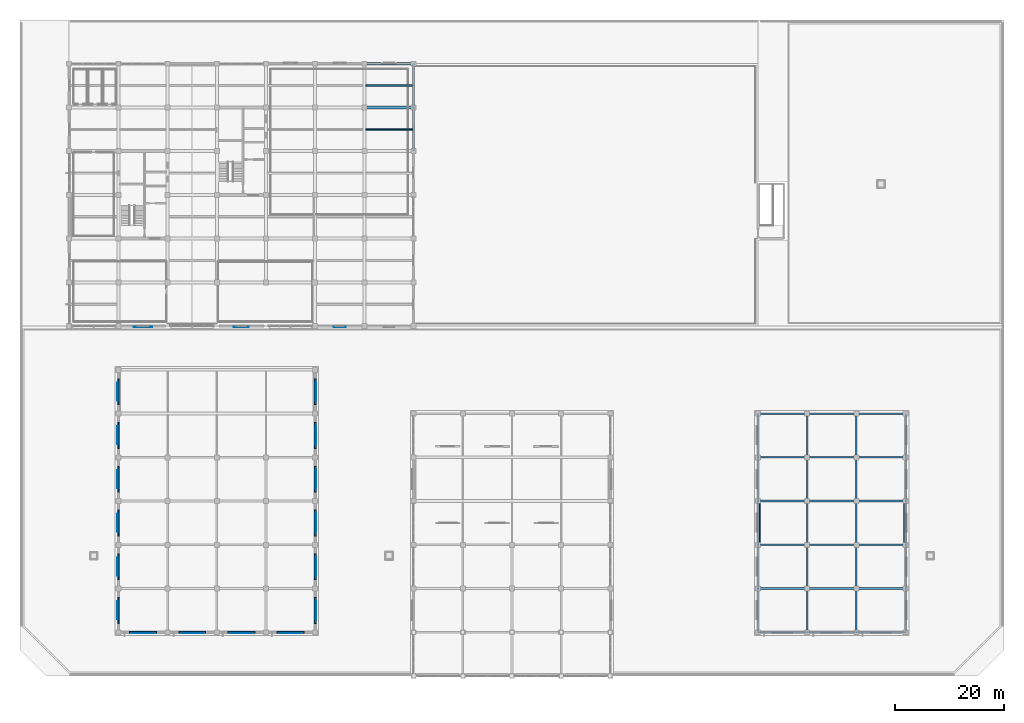
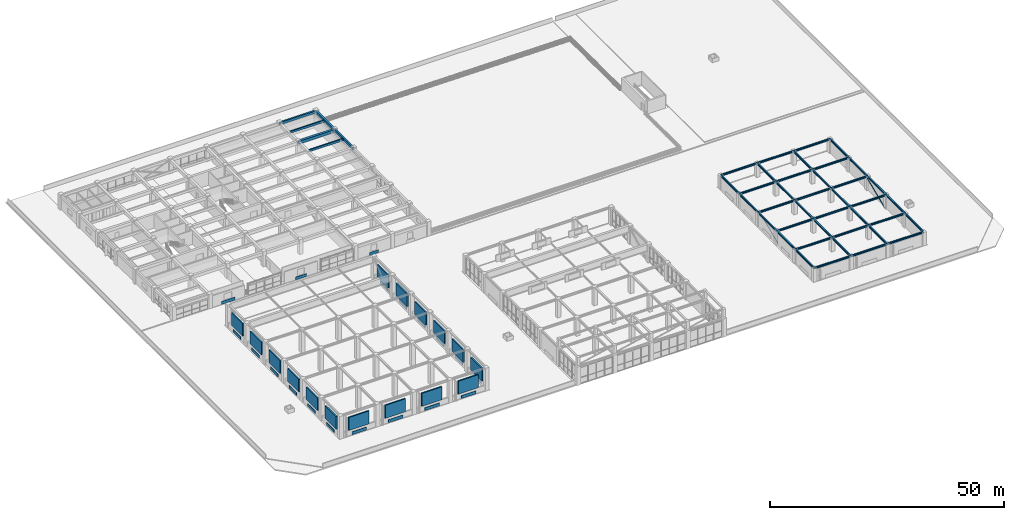
# One storey, part 12 of 34: 44 beams, 35 plates, 2 members.
"""IFC4 building model written with IfcOpenShell, lengths in metres."""

from ifc_helpers import new_model, si_unit, direction, frame, frame_2d, origin, origin_2d, place, context, subcontext, project, spatial, rectangle, hollow_rectangle, i_section, extrude, material, layer, layer_set, material_profile, profile_set, type_object, element, save


model = new_model("IFC4")

# Units and contexts
model_context = context("Model", 3, precision=1e-05, world=origin(), true_north=direction((0.0, 1.0)))
body_context = subcontext(model_context, "Body", "Model", "MODEL_VIEW")
ifc_project = project(units=[si_unit("LENGTHUNIT", "METRE"), si_unit("AREAUNIT", "SQUARE_METRE"), si_unit("VOLUMEUNIT", "CUBIC_METRE"), si_unit("PLANEANGLEUNIT", "RADIAN"), si_unit("MASSUNIT", "GRAM", prefix="KILO")], contexts=[model_context])

# Site, building, storey
site_placement = place(None, origin())
site = spatial("IfcSite", under=ifc_project, at=site_placement, CompositionType="ELEMENT")
building_placement = place(site_placement, origin())
building = spatial("IfcBuilding", under=site, at=building_placement, Name="Zaverband Oceanarium and Marine Research Institute", CompositionType="ELEMENT")
storey_placement = place(building_placement, frame((0.0, 0.0, 18.0)))
storey = spatial("IfcBuildingStorey", under=building, at=storey_placement, Name="L04", CompositionType="ELEMENT", Elevation=18.0)

# Beam
ifc_material_1 = material(Name="Concrete C40/50", Category="concrete")
ifc_material_profile_1 = material_profile(ifc_material_1, rectangle(XDim=0.550048828125, YDim=0.800048828125, at=origin_2d()), Name="RC550x800")
ifc_profile_set_1 = profile_set([ifc_material_profile_1], Name="Concrete C40/50")
beam_type_1 = type_object("IfcBeamType", Name="BM-550x800", PredefinedType="BEAM", material=ifc_profile_set_1)
beam_1_placement = place(storey_placement, frame((63.0, 104.0, 3.25), z_axis=(1.0, 0.0, 0.0), x_axis=(0.0, 1.0, 0.0)))
element("IfcBeam", 1, at=beam_1_placement, inside=storey, type_object=beam_type_1, Name="Primary floor girder BM-550x800", PredefinedType="BEAM", context=body_context, shape_type="SweptSolid", body=[
    extrude(rectangle(XDim=0.550048828125, YDim=0.800048828125, at=origin_2d()), origin(), (0.0, 0.0, 1.0), 9.0),
])

# Members
ifc_material_2 = material(Name="Steel S355", Category="steel")
ifc_material_profile_2 = material_profile(ifc_material_2, hollow_rectangle(XDim=0.14990234375, YDim=0.14990234375, WallThickness=0.008056640625, at=origin_2d()), Name="SHS150x150x8")
ifc_profile_set_2 = profile_set([ifc_material_profile_2], Name="Steel S355")
member_type = type_object("IfcMemberType", Name="BR-04", PredefinedType="BRACE", material=ifc_profile_set_2)
for number, where, z_axis, x_axis, name in (
    (2, (135.300048828125, 24.0, 0.0), (0.0, 0.920334962612, 0.391131124553), (-1.0, 0.0, 0.0), "Diagonal lateral brace BR-04"),
    (3, (161.699951171875, 24.0, 0.0), (0.0, 0.920334962612, 0.391131124553), (-1.0, 0.0, 0.0), "Diagonal lateral brace BR-04"),
):
    element("IfcMember", number, at=place(storey_placement, frame(where, z_axis=z_axis, x_axis=x_axis)), inside=storey, type_object=member_type, Name=name, PredefinedType="BRACE", context=body_context, shape_type="SweptSolid", body=[
        extrude(hollow_rectangle(XDim=0.14990234375, YDim=0.14990234375, WallThickness=0.008056640625, at=origin_2d()), origin(), (0.0, 0.0, 1.0), 8.6923828125),
    ])

# Beams
ifc_material_profile_3 = material_profile(ifc_material_1, rectangle(XDim=0.300048828125, YDim=0.550048828125, at=origin_2d()), Name="RC300x550")
ifc_profile_set_3 = profile_set([ifc_material_profile_3], Name="Concrete C40/50")
beam_type_2 = type_object("IfcBeamType", Name="JST-300x550", PredefinedType="JOIST", material=ifc_profile_set_3)
for number, where, z_axis, x_axis, name in (
    (4, (63.27490234375, 100.0, 3.375), (1.0, 0.0, 0.0), (0.0, 1.0, 0.0), "Secondary floor joist JST-300x550"),
    (5, (63.27490234375, 108.0, 3.375), (1.0, 0.0, 0.0), (0.0, 1.0, 0.0), "Secondary floor joist JST-300x550"),
):
    element("IfcBeam", number, at=place(storey_placement, frame(where, z_axis=z_axis, x_axis=x_axis)), inside=storey, type_object=beam_type_2, Name=name, PredefinedType="JOIST", context=body_context, shape_type="SweptSolid", body=[
        extrude(rectangle(XDim=0.300048828125, YDim=0.550048828125, at=origin_2d()), origin(), (0.0, 0.0, 1.0), 8.525146484375),
    ])
ifc_material_profile_4 = material_profile(ifc_material_2, i_section(OverallWidth=0.300048828125, OverallDepth=0.449951171875, WebThickness=0.013916015625, FlangeThickness=0.02587890625, FilletRadius=0.027099609375, at=origin_2d()), Name="HEB450")
ifc_profile_set_4 = profile_set([ifc_material_profile_4], Name="Steel S355")
beam_type_3 = type_object("IfcBeamType", Name="SB-HEB450", PredefinedType="BEAM", material=ifc_profile_set_4)
for number, where, z_axis, x_axis, name in (
    (6, (135.0, 8.0, 3.375), (1.0, 0.0, 0.0), (0.0, 1.0, 0.0), "Primary steel canopy girder SB-HEB450"),
    (7, (144.0, 8.0, 3.375), (1.0, 0.0, 0.0), (0.0, 1.0, 0.0), "Primary steel canopy girder SB-HEB450"),
    (8, (153.0, 8.0, 3.375), (1.0, 0.0, 0.0), (0.0, 1.0, 0.0), "Primary steel canopy girder SB-HEB450"),
    (9, (135.0, 16.0, 3.375), (1.0, 0.0, 0.0), (0.0, 1.0, 0.0), "Primary steel canopy girder SB-HEB450"),
    (10, (144.0, 16.0, 3.375), (1.0, 0.0, 0.0), (0.0, 1.0, 0.0), "Primary steel canopy girder SB-HEB450"),
    (11, (153.0, 16.0, 3.375), (1.0, 0.0, 0.0), (0.0, 1.0, 0.0), "Primary steel canopy girder SB-HEB450"),
    (12, (135.0, 24.0, 3.375), (1.0, 0.0, 0.0), (0.0, 1.0, 0.0), "Primary steel canopy girder SB-HEB450"),
    (13, (144.0, 24.0, 3.375), (1.0, 0.0, 0.0), (0.0, 1.0, 0.0), "Primary steel canopy girder SB-HEB450"),
    (14, (153.0, 24.0, 3.375), (1.0, 0.0, 0.0), (0.0, 1.0, 0.0), "Primary steel canopy girder SB-HEB450"),
    (15, (135.0, 32.0, 3.375), (1.0, 0.0, 0.0), (0.0, 1.0, 0.0), "Primary steel canopy girder SB-HEB450"),
    (16, (144.0, 32.0, 3.375), (1.0, 0.0, 0.0), (0.0, 1.0, 0.0), "Primary steel canopy girder SB-HEB450"),
    (17, (153.0, 32.0, 3.375), (1.0, 0.0, 0.0), (0.0, 1.0, 0.0), "Primary steel canopy girder SB-HEB450"),
    (18, (135.0, 40.0, 3.375), (1.0, 0.0, 0.0), (0.0, 1.0, 0.0), "Primary steel canopy girder SB-HEB450"),
    (19, (144.0, 40.0, 3.375), (1.0, 0.0, 0.0), (0.0, 1.0, 0.0), "Primary steel canopy girder SB-HEB450"),
    (20, (153.0, 40.0, 3.375), (1.0, 0.0, 0.0), (0.0, 1.0, 0.0), "Primary steel canopy girder SB-HEB450"),
    (21, (135.0, 48.0, 3.375), (1.0, 0.0, 0.0), (0.0, 1.0, 0.0), "Primary steel canopy girder SB-HEB450"),
    (22, (144.0, 48.0, 3.375), (1.0, 0.0, 0.0), (0.0, 1.0, 0.0), "Primary steel canopy girder SB-HEB450"),
    (23, (153.0, 48.0, 3.375), (1.0, 0.0, 0.0), (0.0, 1.0, 0.0), "Primary steel canopy girder SB-HEB450"),
):
    element("IfcBeam", number, at=place(storey_placement, frame(where, z_axis=z_axis, x_axis=x_axis)), inside=storey, type_object=beam_type_3, Name=name, PredefinedType="BEAM", context=body_context, shape_type="SweptSolid", body=[
        extrude(i_section(OverallWidth=0.300048828125, OverallDepth=0.449951171875, WebThickness=0.013916015625, FlangeThickness=0.02587890625, FilletRadius=0.027099609375, at=origin_2d()), origin(), (0.0, 0.0, 1.0), 9.0),
    ])
for number, where, z_axis, x_axis, name in (
    (24, (135.0, 8.0, 3.375), (0.0, 1.0, 0.0), (-1.0, 0.0, 0.0), "Primary steel canopy girder SB-HEB450"),
    (25, (135.0, 16.0, 3.375), (0.0, 1.0, 0.0), (-1.0, 0.0, 0.0), "Primary steel canopy girder SB-HEB450"),
    (26, (135.0, 24.0, 3.375), (0.0, 1.0, 0.0), (-1.0, 0.0, 0.0), "Primary steel canopy girder SB-HEB450"),
    (27, (135.0, 32.0, 3.375), (0.0, 1.0, 0.0), (-1.0, 0.0, 0.0), "Primary steel canopy girder SB-HEB450"),
    (28, (135.0, 40.0, 3.375), (0.0, 1.0, 0.0), (-1.0, 0.0, 0.0), "Primary steel canopy girder SB-HEB450"),
    (29, (144.0, 8.0, 3.375), (0.0, 1.0, 0.0), (-1.0, 0.0, 0.0), "Primary steel canopy girder SB-HEB450"),
    (30, (144.0, 16.0, 3.375), (0.0, 1.0, 0.0), (-1.0, 0.0, 0.0), "Primary steel canopy girder SB-HEB450"),
    (31, (144.0, 24.0, 3.375), (0.0, 1.0, 0.0), (-1.0, 0.0, 0.0), "Primary steel canopy girder SB-HEB450"),
    (32, (144.0, 32.0, 3.375), (0.0, 1.0, 0.0), (-1.0, 0.0, 0.0), "Primary steel canopy girder SB-HEB450"),
    (33, (144.0, 40.0, 3.375), (0.0, 1.0, 0.0), (-1.0, 0.0, 0.0), "Primary steel canopy girder SB-HEB450"),
    (34, (153.0, 8.0, 3.375), (0.0, 1.0, 0.0), (-1.0, 0.0, 0.0), "Primary steel canopy girder SB-HEB450"),
    (35, (153.0, 16.0, 3.375), (0.0, 1.0, 0.0), (-1.0, 0.0, 0.0), "Primary steel canopy girder SB-HEB450"),
    (36, (153.0, 24.0, 3.375), (0.0, 1.0, 0.0), (-1.0, 0.0, 0.0), "Primary steel canopy girder SB-HEB450"),
    (37, (153.0, 32.0, 3.375), (0.0, 1.0, 0.0), (-1.0, 0.0, 0.0), "Primary steel canopy girder SB-HEB450"),
    (38, (153.0, 40.0, 3.375), (0.0, 1.0, 0.0), (-1.0, 0.0, 0.0), "Primary steel canopy girder SB-HEB450"),
    (39, (162.0, 8.0, 3.375), (0.0, 1.0, 0.0), (-1.0, 0.0, 0.0), "Primary steel canopy girder SB-HEB450"),
    (40, (162.0, 16.0, 3.375), (0.0, 1.0, 0.0), (-1.0, 0.0, 0.0), "Primary steel canopy girder SB-HEB450"),
    (41, (162.0, 24.0, 3.375), (0.0, 1.0, 0.0), (-1.0, 0.0, 0.0), "Primary steel canopy girder SB-HEB450"),
    (42, (162.0, 32.0, 3.375), (0.0, 1.0, 0.0), (-1.0, 0.0, 0.0), "Primary steel canopy girder SB-HEB450"),
    (43, (162.0, 40.0, 3.375), (0.0, 1.0, 0.0), (-1.0, 0.0, 0.0), "Primary steel canopy girder SB-HEB450"),
):
    element("IfcBeam", number, at=place(storey_placement, frame(where, z_axis=z_axis, x_axis=x_axis)), inside=storey, type_object=beam_type_3, Name=name, PredefinedType="BEAM", context=body_context, shape_type="SweptSolid", body=[
        extrude(i_section(OverallWidth=0.300048828125, OverallDepth=0.449951171875, WebThickness=0.013916015625, FlangeThickness=0.02587890625, FilletRadius=0.027099609375, at=origin_2d()), origin(), (0.0, 0.0, 1.0), 8.0),
    ])
ifc_material_profile_5 = material_profile(ifc_material_1, rectangle(XDim=0.39990234375, YDim=0.64990234375, at=origin_2d()), Name="RC400x650")
ifc_profile_set_5 = profile_set([ifc_material_profile_5], Name="Concrete C40/50")
beam_type_4 = type_object("IfcBeamType", Name="SPN-400x650", PredefinedType="SPANDREL", material=ifc_profile_set_5)
beam_2_placement = place(storey_placement, frame((63.0, 112.0, 3.324951171875), z_axis=(1.0, 0.0, 0.0), x_axis=(0.0, 1.0, 0.0)))
element("IfcBeam", 44, at=beam_2_placement, inside=storey, type_object=beam_type_4, Name="Perimeter spandrel beam SPN-400x650", PredefinedType="SPANDREL", context=body_context, shape_type="SweptSolid", body=[
    extrude(rectangle(XDim=0.39990234375, YDim=0.64990234375, at=origin_2d()), origin(), (0.0, 0.0, 1.0), 9.0),
])
for number, where, z_axis, x_axis, name in (
    (45, (72.0, 96.0, 3.324951171875), (0.0, 1.0, 0.0), (-1.0, 0.0, 0.0), "Perimeter spandrel beam SPN-400x650"),
    (46, (72.0, 104.0, 3.324951171875), (0.0, 1.0, 0.0), (-1.0, 0.0, 0.0), "Perimeter spandrel beam SPN-400x650"),
):
    element("IfcBeam", number, at=place(storey_placement, frame(where, z_axis=z_axis, x_axis=x_axis)), inside=storey, type_object=beam_type_4, Name=name, PredefinedType="SPANDREL", context=body_context, shape_type="SweptSolid", body=[
        extrude(rectangle(XDim=0.39990234375, YDim=0.64990234375, at=origin_2d()), origin(), (0.0, 0.0, 1.0), 8.0),
    ])

# Plates
ifc_material_3 = material(Name="Monolithic cast polymethyl methacrylate (PMMA) viewing acrylic")
ifc_layer_1 = layer(ifc_material_3, 0.300048828125, Name="Monolithic cast polymethyl methacrylate (PMMA) viewing acrylic")
ifc_layer_set_1 = layer_set([ifc_layer_1], Name="Monolithic cast polymethyl methacrylate (PMMA) viewing acrylic")
plate_type_1 = type_object("IfcPlateType", Name="AP-CLR-4800x3300", PredefinedType="SHEET", material=ifc_layer_set_1)
for number, where, z_axis, x_axis, name in (
    (47, (18.0, 9.60009765625, 1.35009765625), (0.0, 0.0, 1.0), (0.0, 1.0, 0.0), "Monolithic cast-acrylic viewport / tunnel panel AP-CLR-4800x3300"),
    (48, (18.0, 17.60009765625, 1.35009765625), (0.0, 0.0, 1.0), (0.0, 1.0, 0.0), "Monolithic cast-acrylic viewport / tunnel panel AP-CLR-4800x3300"),
    (49, (18.0, 25.60009765625, 1.35009765625), (0.0, 0.0, 1.0), (0.0, 1.0, 0.0), "Monolithic cast-acrylic viewport / tunnel panel AP-CLR-4800x3300"),
    (50, (18.0, 33.60009765625, 1.35009765625), (0.0, 0.0, 1.0), (0.0, 1.0, 0.0), "Monolithic cast-acrylic viewport / tunnel panel AP-CLR-4800x3300"),
    (51, (18.0, 41.60009765625, 1.35009765625), (0.0, 0.0, 1.0), (0.0, 1.0, 0.0), "Monolithic cast-acrylic viewport / tunnel panel AP-CLR-4800x3300"),
    (52, (18.0, 49.60009765625, 1.35009765625), (0.0, 0.0, 1.0), (0.0, 1.0, 0.0), "Monolithic cast-acrylic viewport / tunnel panel AP-CLR-4800x3300"),
    (53, (54.0, 9.60009765625, 1.35009765625), (0.0, 0.0, 1.0), (0.0, 1.0, 0.0), "Monolithic cast-acrylic viewport / tunnel panel AP-CLR-4800x3300"),
    (54, (54.0, 17.60009765625, 1.35009765625), (0.0, 0.0, 1.0), (0.0, 1.0, 0.0), "Monolithic cast-acrylic viewport / tunnel panel AP-CLR-4800x3300"),
    (55, (54.0, 25.60009765625, 1.35009765625), (0.0, 0.0, 1.0), (0.0, 1.0, 0.0), "Monolithic cast-acrylic viewport / tunnel panel AP-CLR-4800x3300"),
    (56, (54.0, 33.60009765625, 1.35009765625), (0.0, 0.0, 1.0), (0.0, 1.0, 0.0), "Monolithic cast-acrylic viewport / tunnel panel AP-CLR-4800x3300"),
    (57, (54.0, 41.60009765625, 1.35009765625), (0.0, 0.0, 1.0), (0.0, 1.0, 0.0), "Monolithic cast-acrylic viewport / tunnel panel AP-CLR-4800x3300"),
    (58, (54.0, 49.60009765625, 1.35009765625), (0.0, 0.0, 1.0), (0.0, 1.0, 0.0), "Monolithic cast-acrylic viewport / tunnel panel AP-CLR-4800x3300"),
):
    element("IfcPlate", number, at=place(storey_placement, frame(where, z_axis=z_axis, x_axis=x_axis)), inside=storey, type_object=plate_type_1, Name=name, PredefinedType="SHEET", context=body_context, shape_type="SweptSolid", body=[
        extrude(rectangle(XDim=4.7998046875, YDim=0.300048828125, at=frame_2d((2.39990234375, 0.0))), origin(), (0.0, 0.0, 1.0), 3.2998046875),
    ])
ifc_layer_2 = layer(ifc_material_3, 0.320068359375, Name="Monolithic cast polymethyl methacrylate (PMMA) viewing acrylic")
ifc_layer_set_2 = layer_set([ifc_layer_2], Name="Monolithic cast polymethyl methacrylate (PMMA) viewing acrylic")
plate_type_2 = type_object("IfcPlateType", Name="AP-CLR-5000x3400", PredefinedType="SHEET", material=ifc_layer_set_2)
for number, where, z_axis, x_axis, name in (
    (59, (20.0, 8.0, 1.35009765625), (0.0, 0.0, 1.0), (1.0, 0.0, 0.0), "Monolithic cast-acrylic viewport / tunnel panel AP-CLR-5000x3400"),
    (60, (29.0, 8.0, 1.35009765625), (0.0, 0.0, 1.0), (1.0, 0.0, 0.0), "Monolithic cast-acrylic viewport / tunnel panel AP-CLR-5000x3400"),
    (61, (38.0, 8.0, 1.35009765625), (0.0, 0.0, 1.0), (1.0, 0.0, 0.0), "Monolithic cast-acrylic viewport / tunnel panel AP-CLR-5000x3400"),
    (62, (47.0, 8.0, 1.35009765625), (0.0, 0.0, 1.0), (1.0, 0.0, 0.0), "Monolithic cast-acrylic viewport / tunnel panel AP-CLR-5000x3400"),
):
    element("IfcPlate", number, at=place(storey_placement, frame(where, z_axis=z_axis, x_axis=x_axis)), inside=storey, type_object=plate_type_2, Name=name, PredefinedType="SHEET", context=body_context, shape_type="SweptSolid", body=[
        extrude(rectangle(XDim=5.0, YDim=0.320068359375, at=frame_2d((2.5, 0.0))), origin(), (0.0, 0.0, 1.0), 3.39990234375),
    ])
ifc_material_4 = material(Name="Concrete C40/50 precast ochre", Category="concrete")
ifc_layer_3 = layer(ifc_material_4, 0.074951171875, Name="Concrete C40/50 precast ochre")
ifc_layer_set_3 = layer_set([ifc_layer_3], Name="Concrete C40/50 precast ochre")
plate_type_3 = type_object("IfcPlateType", Name="FRP-2250x740", PredefinedType="USERDEFINED", material=ifc_layer_set_3)
plate_1_placement = place(storey_placement, frame((57.375, 63.844970703125, 0.0), z_axis=(0.0, 0.0, 1.0), x_axis=(1.0, 0.0, 0.0)))
element("IfcPlate", 63, at=plate_1_placement, inside=storey, type_object=plate_type_3, Name="Geometric precast facade cladding panel FRP-2250x740", ObjectType="FLANGE_PLATE", PredefinedType="USERDEFINED", context=body_context, shape_type="SweptSolid", body=[
    extrude(rectangle(XDim=2.25, YDim=0.074951171875, at=frame_2d((1.125, 0.0))), origin(), (0.0, 0.0, 1.0), 0.739990234375),
])
ifc_layer_4 = layer(ifc_material_4, 0.080078125, Name="Concrete C40/50 precast ochre")
ifc_layer_set_4 = layer_set([ifc_layer_4], Name="Concrete C40/50 precast ochre")
plate_type_4 = type_object("IfcPlateType", Name="FRP-2750x760", PredefinedType="USERDEFINED", material=ifc_layer_set_4)
plate_2_placement = place(storey_placement, frame((39.125, 63.842529296875, 0.0), z_axis=(0.0, 0.0, 1.0), x_axis=(1.0, 0.0, 0.0)))
element("IfcPlate", 64, at=plate_2_placement, inside=storey, type_object=plate_type_4, Name="Geometric precast facade cladding panel FRP-2750x760", ObjectType="FLANGE_PLATE", PredefinedType="USERDEFINED", context=body_context, shape_type="SweptSolid", body=[
    extrude(rectangle(XDim=2.75, YDim=0.080078125, at=frame_2d((1.375, 0.0))), origin(), (0.0, 0.0, 1.0), 0.760009765625),
])
ifc_layer_5 = layer(ifc_material_4, 0.0849609375, Name="Concrete C40/50 precast ochre")
ifc_layer_set_5 = layer_set([ifc_layer_5], Name="Concrete C40/50 precast ochre")
plate_type_5 = type_object("IfcPlateType", Name="FRP-3300x800", PredefinedType="USERDEFINED", material=ifc_layer_set_5)
for number, where, z_axis, x_axis, name in (
    (65, (20.85009765625, 63.840087890625, 0.0), (0.0, 0.0, 1.0), (1.0, 0.0, 0.0), "Geometric precast facade cladding panel FRP-3300x800"),
    (66, (17.8173828125, 10.35009765625, 0.0), (0.0, 0.0, 1.0), (0.0, 1.0, 0.0), "Geometric precast facade cladding panel FRP-3300x800"),
    (67, (17.8173828125, 18.35009765625, 0.0), (0.0, 0.0, 1.0), (0.0, 1.0, 0.0), "Geometric precast facade cladding panel FRP-3300x800"),
    (68, (17.8173828125, 26.35009765625, 0.0), (0.0, 0.0, 1.0), (0.0, 1.0, 0.0), "Geometric precast facade cladding panel FRP-3300x800"),
    (69, (17.8173828125, 34.35009765625, 0.0), (0.0, 0.0, 1.0), (0.0, 1.0, 0.0), "Geometric precast facade cladding panel FRP-3300x800"),
    (70, (17.8173828125, 42.35009765625, 0.0), (0.0, 0.0, 1.0), (0.0, 1.0, 0.0), "Geometric precast facade cladding panel FRP-3300x800"),
    (71, (17.8173828125, 50.35009765625, 0.0), (0.0, 0.0, 1.0), (0.0, 1.0, 0.0), "Geometric precast facade cladding panel FRP-3300x800"),
    (72, (54.1826171875, 10.35009765625, 0.0), (0.0, 0.0, 1.0), (0.0, 1.0, 0.0), "Geometric precast facade cladding panel FRP-3300x800"),
    (73, (54.1826171875, 18.35009765625, 0.0), (0.0, 0.0, 1.0), (0.0, 1.0, 0.0), "Geometric precast facade cladding panel FRP-3300x800"),
    (74, (54.1826171875, 26.35009765625, 0.0), (0.0, 0.0, 1.0), (0.0, 1.0, 0.0), "Geometric precast facade cladding panel FRP-3300x800"),
    (75, (54.1826171875, 34.35009765625, 0.0), (0.0, 0.0, 1.0), (0.0, 1.0, 0.0), "Geometric precast facade cladding panel FRP-3300x800"),
    (76, (54.1826171875, 42.35009765625, 0.0), (0.0, 0.0, 1.0), (0.0, 1.0, 0.0), "Geometric precast facade cladding panel FRP-3300x800"),
    (77, (54.1826171875, 50.35009765625, 0.0), (0.0, 0.0, 1.0), (0.0, 1.0, 0.0), "Geometric precast facade cladding panel FRP-3300x800"),
):
    element("IfcPlate", number, at=place(storey_placement, frame(where, z_axis=z_axis, x_axis=x_axis)), inside=storey, type_object=plate_type_5, Name=name, ObjectType="FLANGE_PLATE", PredefinedType="USERDEFINED", context=body_context, shape_type="SweptSolid", body=[
        extrude(rectangle(XDim=3.2998046875, YDim=0.0849609375, at=frame_2d((1.64990234375, 0.0))), origin(), (0.0, 0.0, 1.0), 0.800048828125),
    ])
ifc_layer_6 = layer(ifc_material_4, 0.0849609375, Name="Concrete C40/50 precast ochre")
ifc_layer_set_6 = layer_set([ifc_layer_6], Name="Concrete C40/50 precast ochre")
plate_type_6 = type_object("IfcPlateType", Name="FRP-3600x800", PredefinedType="USERDEFINED", material=ifc_layer_set_6)
for number, where, z_axis, x_axis, name in (
    (78, (20.699951171875, 7.8173828125, 0.0), (0.0, 0.0, 1.0), (1.0, 0.0, 0.0), "Geometric precast facade cladding panel FRP-3600x800"),
    (79, (29.699951171875, 7.8173828125, 0.0), (0.0, 0.0, 1.0), (1.0, 0.0, 0.0), "Geometric precast facade cladding panel FRP-3600x800"),
    (80, (38.699951171875, 7.8173828125, 0.0), (0.0, 0.0, 1.0), (1.0, 0.0, 0.0), "Geometric precast facade cladding panel FRP-3600x800"),
    (81, (47.699951171875, 7.8173828125, 0.0), (0.0, 0.0, 1.0), (1.0, 0.0, 0.0), "Geometric precast facade cladding panel FRP-3600x800"),
):
    element("IfcPlate", number, at=place(storey_placement, frame(where, z_axis=z_axis, x_axis=x_axis)), inside=storey, type_object=plate_type_6, Name=name, ObjectType="FLANGE_PLATE", PredefinedType="USERDEFINED", context=body_context, shape_type="SweptSolid", body=[
        extrude(rectangle(XDim=3.60009765625, YDim=0.0849609375, at=frame_2d((1.800048828125, 0.0))), origin(), (0.0, 0.0, 1.0), 0.800048828125),
    ])

save(model, "model.ifc")
